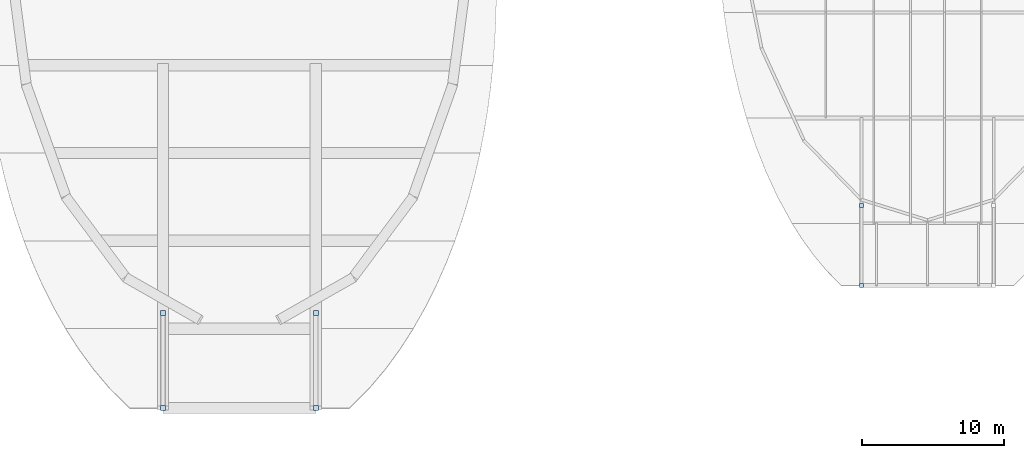
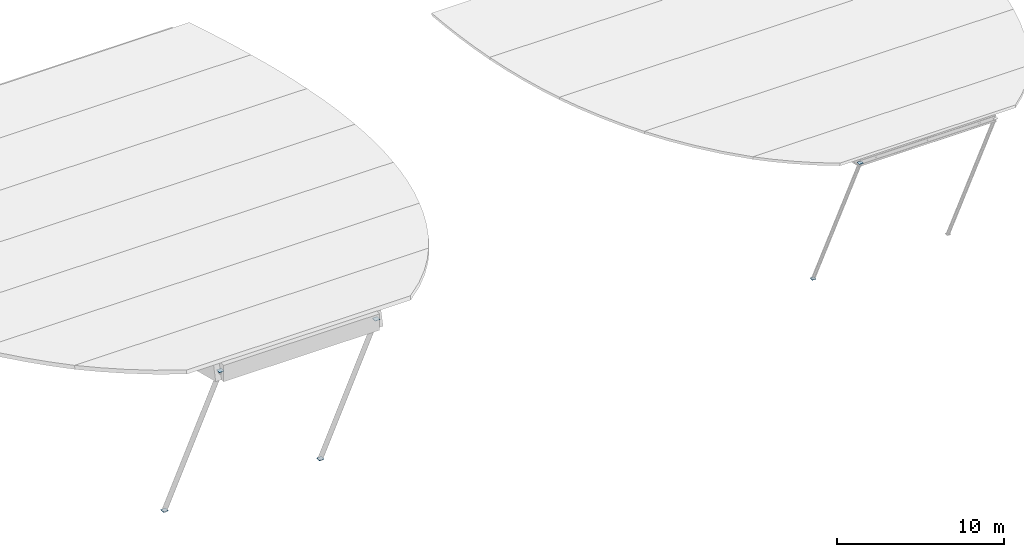
# One storey, part 4 of 9: 6 plates.
"""IFC4 building model written with IfcOpenShell, lengths in metres."""

from ifc_helpers import new_model, si_unit, direction, frame, origin, origin_2d, place, context, subcontext, project, spatial, rectangle, extrude, material, layer, layer_set, type_object, element, save


model = new_model("IFC4")

# Units and contexts
model_context = context("Model", 3, precision=1e-05, world=origin(), true_north=direction((0.0, 1.0)))
body_context = subcontext(model_context, "Body", "Model", "MODEL_VIEW")
ifc_project = project(units=[si_unit("LENGTHUNIT", "METRE"), si_unit("AREAUNIT", "SQUARE_METRE"), si_unit("VOLUMEUNIT", "CUBIC_METRE"), si_unit("PLANEANGLEUNIT", "RADIAN"), si_unit("MASSUNIT", "GRAM", prefix="KILO")], contexts=[model_context])

# Site, building, storey
site_placement = place(None, origin())
site = spatial("IfcSite", under=ifc_project, at=site_placement, CompositionType="ELEMENT")
building_placement = place(site_placement, origin())
building = spatial("IfcBuilding", under=site, at=building_placement, Name="Kaelora Sail Theatre", CompositionType="ELEMENT")
storey_placement = place(building_placement, frame((0.0, 0.0, 33.60009765625)))
storey = spatial("IfcBuildingStorey", under=building, at=storey_placement, Name="ROOF", CompositionType="ELEMENT", Elevation=33.60009765625)

# Plates
ifc_material_1 = material(Name="Steel S355", Category="steel")
ifc_layer_1 = layer(ifc_material_1, 0.02001953125)
ifc_layer_set_1 = layer_set([ifc_layer_1], Name="Steel S355")
plate_type_1 = type_object("IfcPlateType", Name="STR-PL-EP-20", PredefinedType="SHEET", material=ifc_layer_set_1)
for number, where, z_axis, x_axis, name in (
    (1, (85.930419921875, 32.510498046875, -22.8681640625), (0.0, 0.0, 1.0), (1.0, 0.0, 0.0), "PS-01 Studio Theatre raking prow strut W end cap plate A"),
    (2, (85.930419921875, 26.856201171875, -10.951904296875), (0.0, 0.0, 1.0), (1.0, 0.0, 0.0), "PS-01 Studio Theatre raking prow strut W end cap plate B"),
):
    element("IfcPlate", number, at=place(storey_placement, frame(where, z_axis=z_axis, x_axis=x_axis)), inside=storey, type_object=plate_type_1, Name=name, PredefinedType="SHEET", context=body_context, shape_type="SweptSolid", body=[
        extrude(rectangle(XDim=0.280029296875, YDim=0.280029296875, at=origin_2d()), origin(), (0.0, 0.0, 1.0), 0.02001953125),
    ])
ifc_material_2 = material(Name="Steel S355", Category="steel")
ifc_layer_2 = layer(ifc_material_2, 0.02587890625)
ifc_layer_set_2 = layer_set([ifc_layer_2], Name="Steel S355")
plate_type_2 = type_object("IfcPlateType", Name="STR-PL-EP-26", PredefinedType="SHEET", material=ifc_layer_set_2)
for number, where, z_axis, x_axis, name in (
    (3, (36.60009765625, 24.925048828125, -17.9736328125), (0.0, 0.0, 1.0), (1.0, 0.0, 0.0), "PS-01 Main shell expressive raking prow strut W end cap plate A"),
    (4, (36.60009765625, 18.215087890625, -3.66748046875), (0.0, 0.0, 1.0), (1.0, 0.0, 0.0), "PS-01 Main shell expressive raking prow strut W end cap plate B"),
    (5, (47.39990234375, 24.925048828125, -17.9736328125), (0.0, 0.0, 1.0), (1.0, 0.0, 0.0), "PS-01 Main shell expressive raking prow strut E end cap plate A"),
    (6, (47.39990234375, 18.215087890625, -3.66748046875), (0.0, 0.0, 1.0), (1.0, 0.0, 0.0), "PS-01 Main shell expressive raking prow strut E end cap plate B"),
):
    element("IfcPlate", number, at=place(storey_placement, frame(where, z_axis=z_axis, x_axis=x_axis)), inside=storey, type_object=plate_type_2, Name=name, PredefinedType="SHEET", context=body_context, shape_type="SweptSolid", body=[
        extrude(rectangle(XDim=0.340087890625, YDim=0.340087890625, at=origin_2d()), origin(), (0.0, 0.0, 1.0), 0.02587890625),
    ])

save(model, "model.ifc")
